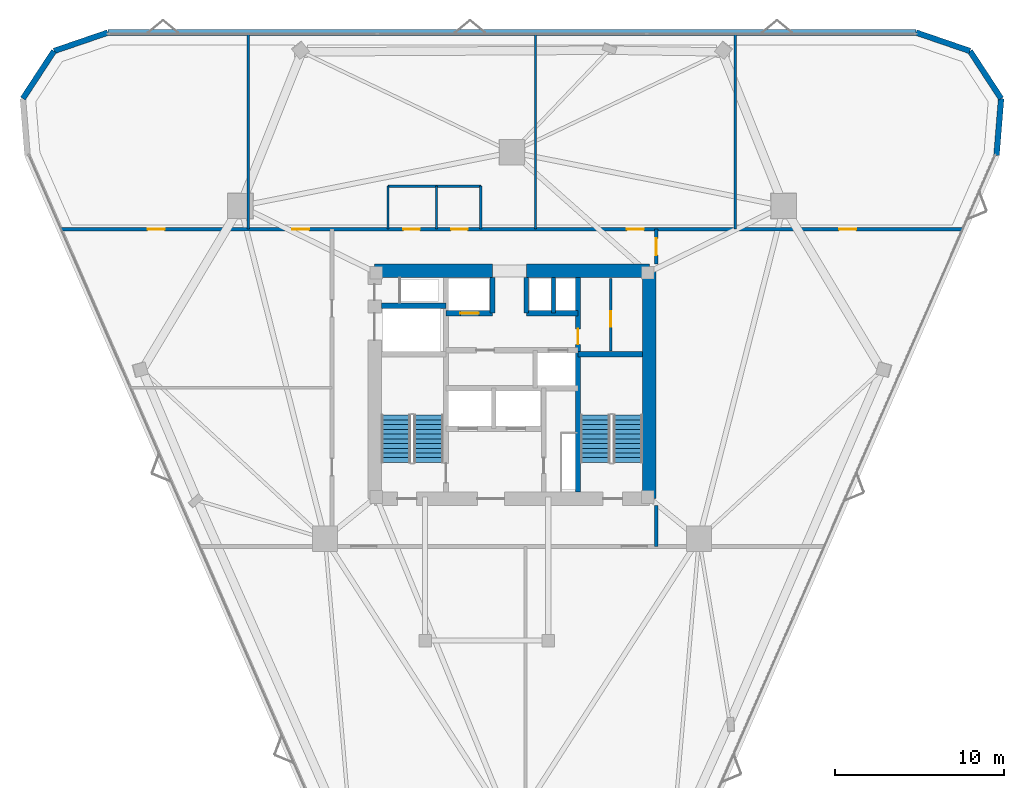
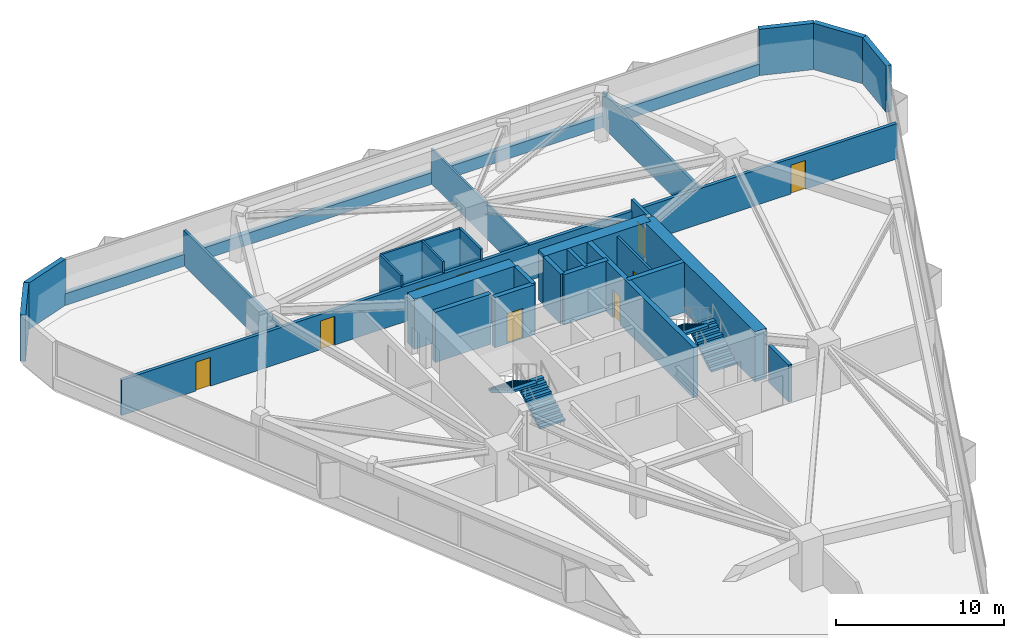
# One storey, part 13 of 16: 28 walls, 10 doors, 4 stair flights, 10 openings, 2 elements without a shape of their own.
"""IFC4 building model written with IfcOpenShell, lengths in metres."""

from ifc_helpers import new_model, si_unit, direction, frame, frame_2d, origin, place, context, subcontext, project, spatial, polyline, rectangle, outline, extrude, material, layer, layer_set, type_object, element, fill, aggregate, save


model = new_model("IFC4")

# Units and contexts
model_context = context("Model", 3, precision=1e-05, world=origin(), true_north=direction((0.0, 1.0)))
body_context = subcontext(model_context, "Body", "Model", "MODEL_VIEW")
ifc_project = project(units=[si_unit("LENGTHUNIT", "METRE"), si_unit("AREAUNIT", "SQUARE_METRE"), si_unit("VOLUMEUNIT", "CUBIC_METRE"), si_unit("PLANEANGLEUNIT", "RADIAN"), si_unit("MASSUNIT", "GRAM", prefix="KILO")], contexts=[model_context])

# Site, building, storey
site_placement = place(None, origin())
site = spatial("IfcSite", under=ifc_project, at=site_placement, CompositionType="ELEMENT")
building_placement = place(site_placement, origin())
building = spatial("IfcBuilding", under=site, at=building_placement, Name="Talyreon Biosciences Tower", CompositionType="ELEMENT")
storey_placement = place(building_placement, frame((0.0, 0.0, 134.5)))
storey = spatial("IfcBuildingStorey", under=building, at=storey_placement, Name="L35", CompositionType="ELEMENT", Elevation=134.5)

# Walls
ifc_material_1 = material(Name="Concrete C50/60", Category="concrete")
ifc_layer_1 = layer(ifc_material_1, 0.219970703125)
ifc_layer_set_1 = layer_set([ifc_layer_1], Name="Concrete C50/60")
wall_type_1 = type_object("IfcWallType", Name="CoreShearWall_220", PredefinedType="SHEAR", material=ifc_layer_set_1)
wall_1_placement = place(storey_placement, frame((68.4599609375, 72.25, 0.0), z_axis=(0.0, 0.0, 1.0), x_axis=(0.0, 1.0, 0.0)))
element("IfcWall", 1, at=wall_1_placement, inside=storey, type_object=wall_type_1, Name="L35 Core Shaft Wall SWPHD", PredefinedType="SHEAR", context=body_context, shape_type="SweptSolid", body=[
    extrude(rectangle(XDim=2.10009765625, YDim=0.219970703125, at=frame_2d((1.050048828125, 0.0))), origin(), (0.0, 0.0, 1.0), 3.64990234375),
])
ifc_layer_2 = layer(ifc_material_1, 0.280029296875)
ifc_layer_set_2 = layer_set([ifc_layer_2], Name="Concrete C50/60")
wall_type_2 = type_object("IfcWallType", Name="CoreShearWall_280", PredefinedType="SHEAR", material=ifc_layer_set_2)
for number, where, z_axis, x_axis, name in (
    (2, (64.85009765625, 72.25, 0.0), (0.0, 0.0, 1.0), (0.0, 1.0, 0.0), "L35 Core Shaft Wall SWTHW"),
    (3, (66.85009765625, 72.25, 0.0), (0.0, 0.0, 1.0), (0.0, 1.0, 0.0), "L35 Core Shaft Wall SWTHE"),
):
    element("IfcWall", number, at=place(storey_placement, frame(where, z_axis=z_axis, x_axis=x_axis)), inside=storey, type_object=wall_type_2, Name=name, PredefinedType="SHEAR", context=body_context, shape_type="SweptSolid", body=[
        extrude(rectangle(XDim=2.10009765625, YDim=0.280029296875, at=frame_2d((1.050048828125, 0.0))), origin(), (0.0, 0.0, 1.0), 3.64990234375),
    ])

# Wall, opening, door
ifc_layer_3 = layer(ifc_material_1, 0.320068359375)
ifc_layer_set_3 = layer_set([ifc_layer_3], Name="Concrete C50/60")
wall_type_3 = type_object("IfcWallType", Name="CoreShearWall_320", PredefinedType="SHEAR", material=ifc_layer_set_3)
wall_2_placement = place(storey_placement, frame((69.909912109375, 61.64990234375, 0.0), z_axis=(0.0, 0.0, 1.0), x_axis=(0.0, 1.0, 0.0)))
wall_2 = element("IfcWall", 4, at=wall_2_placement, inside=storey, type_object=wall_type_3, Name="L35 Core Shaft Wall SW2W", PredefinedType="SHEAR", context=body_context, shape_type="SweptSolid", body=[
    extrude(rectangle(XDim=12.7001953125, YDim=0.320068359375, at=frame_2d((6.35009765625, 0.0))), origin(), (0.0, 0.0, 1.0), 3.64990234375),
])
opening_1_placement = place(wall_2_placement, frame((8.75, 0.0, 0.0)))
opening_1 = element("IfcOpeningElement", 5, at=opening_1_placement, cuts=wall_2, Name="Opening DR-L35-CSRV", PredefinedType="OPENING", context=body_context, shape_type="SweptSolid", body=[
    extrude(rectangle(XDim=0.919921875, YDim=2.050048828125, at=frame_2d((0.4599609375, 1.02490234375))), frame((0.0, 0.169921875, 0.0), z_axis=(0.0, -1.0, 0.0), x_axis=(1.0, 0.0, 0.0)), (0.0, 0.0, 1.0), 0.340087890625),
])
ifc_material_2 = material(Name="Painted steel fire-rated riser door", Category="steel")
door_type_1 = type_object("IfcDoorType", Name="RiserPlantAccessDoor_920x2050", OperationType="NOTDEFINED", PredefinedType="DOOR", material=ifc_material_2)
door_1_placement = place(opening_1_placement, origin())
door_1 = element("IfcDoor", 6, at=door_1_placement, inside=storey, type_object=door_type_1, Name="L35 Core Door DR-L35-CSRV", OperationType="SINGLE_SWING_RIGHT", OverallHeight=2.050048828125, OverallWidth=0.919921875, PredefinedType="DOOR", context=body_context, shape_type="SweptSolid", body=[
    extrude(rectangle(XDim=0.919921875, YDim=2.050048828125, at=frame_2d((0.4599609375, 1.02490234375))), frame((0.0, 0.02490234375, 0.0), z_axis=(0.0, -1.0, 0.0), x_axis=(1.0, 0.0, 0.0)), (0.0, 0.0, 1.0), 0.050048828125),
])
fill(opening_1, door_1)

# Walls
for number, where, z_axis, x_axis, name in (
    (7, (69.909912109375, 69.81005859375, 0.0), (0.0, 0.0, 1.0), (1.0, 0.0, 0.0), "L35 Core Shaft Wall SW2N"),
    (8, (58.25, 72.699951171875, 0.0), (0.0, 0.0, 1.0), (1.0, 0.0, 0.0), "L35 Core Shaft Wall SWGLN"),
):
    element("IfcWall", number, at=place(storey_placement, frame(where, z_axis=z_axis, x_axis=x_axis)), inside=storey, type_object=wall_type_3, Name=name, PredefinedType="SHEAR", context=body_context, shape_type="SweptSolid", body=[
        extrude(rectangle(XDim=3.840087890625, YDim=0.320068359375, at=frame_2d((1.919921875, 0.0))), origin(), (0.0, 0.0, 1.0), 3.64990234375),
    ])

# Wall, opening, door
wall_3_placement = place(storey_placement, frame((62.090087890625, 72.25, 0.0), z_axis=(0.0, 0.0, 1.0), x_axis=(1.0, 0.0, 0.0)))
wall_3 = element("IfcWall", 9, at=wall_3_placement, inside=storey, type_object=wall_type_3, Name="L35 Core Shaft Wall SWNPW", PredefinedType="SHEAR", context=body_context, shape_type="SweptSolid", body=[
    extrude(rectangle(XDim=2.760009765625, YDim=0.320068359375, at=frame_2d((1.3798828125, 0.0))), origin(), (0.0, 0.0, 1.0), 3.64990234375),
])
opening_2_placement = place(wall_3_placement, frame((0.85009765625, 0.0, 0.0)))
opening_2 = element("IfcOpeningElement", 10, at=opening_2_placement, cuts=wall_3, Name="Opening LD-L35-PM2", PredefinedType="OPENING", context=body_context, shape_type="SweptSolid", body=[
    extrude(rectangle(XDim=1.10009765625, YDim=2.199951171875, at=frame_2d((0.550048828125, 1.10009765625))), frame((0.0, 0.169921875, 0.0), z_axis=(0.0, -1.0, 0.0), x_axis=(1.0, 0.0, 0.0)), (0.0, 0.0, 1.0), 0.340087890625),
])
ifc_material_3 = material(Name="Brushed stainless-steel lift landing door", Category="steel")
door_type_2 = type_object("IfcDoorType", Name="LiftSlidingLandingDoor_1100x2200", OperationType="SLIDING_TO_LEFT", PredefinedType="DOOR", material=ifc_material_3)
door_2_placement = place(opening_2_placement, origin())
door_2 = element("IfcDoor", 11, at=door_2_placement, inside=storey, type_object=door_type_2, Name="L35 Core Door LD-L35-PM2", OperationType="SLIDING_TO_LEFT", OverallHeight=2.199951171875, OverallWidth=1.10009765625, PredefinedType="DOOR", context=body_context, shape_type="SweptSolid", body=[
    extrude(rectangle(XDim=1.10009765625, YDim=2.199951171875, at=frame_2d((0.550048828125, 1.10009765625))), frame((0.0, 0.02490234375, 0.0), z_axis=(0.0, -1.0, 0.0), x_axis=(1.0, 0.0, 0.0)), (0.0, 0.0, 1.0), 0.050048828125),
])
fill(opening_2, door_2)

# Walls
wall_4_placement = place(storey_placement, frame((66.85009765625, 72.25, 0.0), z_axis=(0.0, 0.0, 1.0), x_axis=(1.0, 0.0, 0.0)))
element("IfcWall", 12, at=wall_4_placement, inside=storey, type_object=wall_type_3, Name="L35 Core Shaft Wall SWNPE", PredefinedType="SHEAR", context=body_context, shape_type="SweptSolid", body=[
    extrude(rectangle(XDim=3.059814453125, YDim=0.320068359375, at=frame_2d((1.52978515625, 0.0))), origin(), (0.0, 0.0, 1.0), 3.64990234375),
])
ifc_material_4 = material(Name="Concrete C60/75", Category="concrete")
ifc_layer_4 = layer(ifc_material_4, 0.800048828125)
ifc_layer_set_4 = layer_set([ifc_layer_4], Name="Concrete C60/75")
wall_type_4 = type_object("IfcWallType", Name="CoreShearWall_800", PredefinedType="SHEAR", material=ifc_layer_set_4)
wall_5_placement = place(storey_placement, frame((74.14990234375, 61.25, 0.0), z_axis=(0.0, 0.0, 1.0), x_axis=(0.0, 1.0, 0.0)))
element("IfcWall", 13, at=wall_5_placement, inside=storey, type_object=wall_type_4, Name="L35 Core Shear Wall E", PredefinedType="SHEAR", context=body_context, shape_type="SweptSolid", body=[
    extrude(rectangle(XDim=13.5, YDim=0.800048828125, at=frame_2d((6.75, 0.0))), origin(), (0.0, 0.0, 1.0), 3.64990234375),
])
wall_6_placement = place(storey_placement, frame((74.14990234375, 74.75, 0.0), z_axis=(0.0, 0.0, 1.0), x_axis=(-1.0, 0.0, 0.0)))
element("IfcWall", 14, at=wall_6_placement, inside=storey, type_object=wall_type_4, Name="L35 Core Shear Wall NE", PredefinedType="SHEAR", context=body_context, shape_type="SweptSolid", body=[
    extrude(rectangle(XDim=7.2998046875, YDim=0.800048828125, at=frame_2d((3.64990234375, 0.0))), origin(), (0.0, 0.0, 1.0), 3.64990234375),
])
wall_7_placement = place(storey_placement, frame((64.85009765625, 74.75, 0.0), z_axis=(0.0, 0.0, 1.0), x_axis=(-1.0, 0.0, 0.0)))
element("IfcWall", 15, at=wall_7_placement, inside=storey, type_object=wall_type_4, Name="L35 Core Shear Wall NW", PredefinedType="SHEAR", context=body_context, shape_type="SweptSolid", body=[
    extrude(rectangle(XDim=7.0, YDim=0.800048828125, at=frame_2d((3.5, 0.0))), origin(), (0.0, 0.0, 1.0), 3.64990234375),
])

# Wall, openings, doors
ifc_material_5 = material(Name="Gypsum fireboard acoustic stud", Category="gypsum")
ifc_layer_5 = layer(ifc_material_5, 0.219970703125)
ifc_layer_set_5 = layer_set([ifc_layer_5], Name="Gypsum fireboard acoustic stud")
wall_type_5 = type_object("IfcWallType", Name="CorridorRatedPartition_220", PredefinedType="PARTITIONING", material=ifc_layer_set_5)
wall_8_placement = place(storey_placement, frame((39.278564453125, 77.22998046875, 0.0), z_axis=(0.0, 0.0, 1.0), x_axis=(1.0, 0.0, 0.0)))
wall_8 = element("IfcWall", 16, at=wall_8_placement, inside=storey, type_object=wall_type_5, Name="L35 Interior Wall IW-L35-COR-N", PredefinedType="PARTITIONING", context=body_context, shape_type="SweptSolid", body=[
    extrude(rectangle(XDim=53.44287109375, YDim=0.219970703125, at=frame_2d((26.721435546875, 0.0))), origin(), (0.0, 0.0, 1.0), 2.574951171875),
])
opening_3_placement = place(wall_8_placement, frame((20.281982421875, 0.0, 0.0)))
opening_3 = element("IfcOpeningElement", 17, at=opening_3_placement, cuts=wall_8, Name="Opening DR-L35-WC", PredefinedType="OPENING", context=body_context, shape_type="SweptSolid", body=[
    extrude(rectangle(XDim=0.97998046875, YDim=2.10009765625, at=frame_2d((0.489990234375, 1.050048828125))), frame((0.0, 0.119873046875, 0.0), z_axis=(0.0, -1.0, 0.0), x_axis=(1.0, 0.0, 0.0)), (0.0, 0.0, 1.0), 0.239990234375),
])
opening_4_placement = place(wall_8_placement, frame((23.10693359375, 0.0, 0.0)))
opening_4 = element("IfcOpeningElement", 18, at=opening_4_placement, cuts=wall_8, Name="Opening DR-L35-AWC", PredefinedType="OPENING", context=body_context, shape_type="SweptSolid", body=[
    extrude(rectangle(XDim=0.97998046875, YDim=2.10009765625, at=frame_2d((0.489990234375, 1.050048828125))), frame((0.0, 0.119873046875, 0.0), z_axis=(0.0, -1.0, 0.0), x_axis=(1.0, 0.0, 0.0)), (0.0, 0.0, 1.0), 0.239990234375),
])
opening_5_placement = place(wall_8_placement, frame((5.1220703125, 0.0, 0.0)))
opening_5 = element("IfcOpeningElement", 19, at=opening_5_placement, cuts=wall_8, Name="Opening DR-L35-N1A", PredefinedType="OPENING", context=body_context, shape_type="SweptSolid", body=[
    extrude(rectangle(XDim=1.0, YDim=2.10009765625, at=frame_2d((0.5, 1.050048828125))), frame((0.0, 0.119873046875, 0.0), z_axis=(0.0, -1.0, 0.0), x_axis=(1.0, 0.0, 0.0)), (0.0, 0.0, 1.0), 0.239990234375),
])
opening_6_placement = place(wall_8_placement, frame((13.694091796875, 0.0, 0.0)))
opening_6 = element("IfcOpeningElement", 20, at=opening_6_placement, cuts=wall_8, Name="Opening DR-L35-N2A", PredefinedType="OPENING", context=body_context, shape_type="SweptSolid", body=[
    extrude(rectangle(XDim=1.0, YDim=2.10009765625, at=frame_2d((0.5, 1.050048828125))), frame((0.0, 0.119873046875, 0.0), z_axis=(0.0, -1.0, 0.0), x_axis=(1.0, 0.0, 0.0)), (0.0, 0.0, 1.0), 0.239990234375),
])
opening_7_placement = place(wall_8_placement, frame((33.534912109375, 0.0, 0.0)))
opening_7 = element("IfcOpeningElement", 21, at=opening_7_placement, cuts=wall_8, Name="Opening DR-L35-N3A", PredefinedType="OPENING", context=body_context, shape_type="SweptSolid", body=[
    extrude(rectangle(XDim=1.0, YDim=2.10009765625, at=frame_2d((0.5, 1.050048828125))), frame((0.0, 0.119873046875, 0.0), z_axis=(0.0, -1.0, 0.0), x_axis=(1.0, 0.0, 0.0)), (0.0, 0.0, 1.0), 0.239990234375),
])
opening_8_placement = place(wall_8_placement, frame((46.12109375, 0.0, 0.0)))
opening_8 = element("IfcOpeningElement", 22, at=opening_8_placement, cuts=wall_8, Name="Opening DR-L35-N4A", PredefinedType="OPENING", context=body_context, shape_type="SweptSolid", body=[
    extrude(rectangle(XDim=1.0, YDim=2.10009765625, at=frame_2d((0.5, 1.050048828125))), frame((0.0, 0.119873046875, 0.0), z_axis=(0.0, -1.0, 0.0), x_axis=(1.0, 0.0, 0.0)), (0.0, 0.0, 1.0), 0.239990234375),
])
ifc_material_6 = material(Name="Laminate moisture-resistant door", Category="wood")
door_type_3 = type_object("IfcDoorType", Name="AccessibleToiletDoor_980x2100", OperationType="NOTDEFINED", PredefinedType="DOOR", material=ifc_material_6)
door_3_placement = place(opening_3_placement, origin())
door_3 = element("IfcDoor", 23, at=door_3_placement, inside=storey, type_object=door_type_3, Name="L35 Interior Door DR-L35-WC", OperationType="SINGLE_SWING_LEFT", OverallHeight=2.10009765625, OverallWidth=0.97998046875, PredefinedType="DOOR", context=body_context, shape_type="SweptSolid", body=[
    extrude(rectangle(XDim=0.97998046875, YDim=2.10009765625, at=frame_2d((0.489990234375, 1.050048828125))), frame((0.0, 0.02490234375, 0.0), z_axis=(0.0, -1.0, 0.0), x_axis=(1.0, 0.0, 0.0)), (0.0, 0.0, 1.0), 0.050048828125),
])
fill(opening_3, door_3)
door_4_placement = place(opening_4_placement, origin())
door_4 = element("IfcDoor", 24, at=door_4_placement, inside=storey, type_object=door_type_3, Name="L35 Interior Door DR-L35-AWC", OperationType="SINGLE_SWING_RIGHT", OverallHeight=2.10009765625, OverallWidth=0.97998046875, PredefinedType="DOOR", context=body_context, shape_type="SweptSolid", body=[
    extrude(rectangle(XDim=0.97998046875, YDim=2.10009765625, at=frame_2d((0.489990234375, 1.050048828125))), frame((0.0, 0.02490234375, 0.0), z_axis=(0.0, -1.0, 0.0), x_axis=(1.0, 0.0, 0.0)), (0.0, 0.0, 1.0), 0.050048828125),
])
fill(opening_4, door_4)
ifc_material_7 = material(Name="Acoustic oak veneer office door", Category="wood")
door_type_4 = type_object("IfcDoorType", Name="WriteupOfficeDoor_1000x2100", OperationType="NOTDEFINED", PredefinedType="DOOR", material=ifc_material_7)
door_5_placement = place(opening_5_placement, origin())
door_5 = element("IfcDoor", 25, at=door_5_placement, inside=storey, type_object=door_type_4, Name="L35 Interior Door DR-L35-N1A", OperationType="SINGLE_SWING_RIGHT", OverallHeight=2.10009765625, OverallWidth=1.0, PredefinedType="DOOR", context=body_context, shape_type="SweptSolid", body=[
    extrude(rectangle(XDim=1.0, YDim=2.10009765625, at=frame_2d((0.5, 1.050048828125))), frame((0.0, 0.02490234375, 0.0), z_axis=(0.0, -1.0, 0.0), x_axis=(1.0, 0.0, 0.0)), (0.0, 0.0, 1.0), 0.050048828125),
])
fill(opening_5, door_5)
door_6_placement = place(opening_6_placement, origin())
door_6 = element("IfcDoor", 26, at=door_6_placement, inside=storey, type_object=door_type_4, Name="L35 Interior Door DR-L35-N2A", OperationType="SINGLE_SWING_RIGHT", OverallHeight=2.10009765625, OverallWidth=1.0, PredefinedType="DOOR", context=body_context, shape_type="SweptSolid", body=[
    extrude(rectangle(XDim=1.0, YDim=2.10009765625, at=frame_2d((0.5, 1.050048828125))), frame((0.0, 0.02490234375, 0.0), z_axis=(0.0, -1.0, 0.0), x_axis=(1.0, 0.0, 0.0)), (0.0, 0.0, 1.0), 0.050048828125),
])
fill(opening_6, door_6)
door_7_placement = place(opening_7_placement, origin())
door_7 = element("IfcDoor", 27, at=door_7_placement, inside=storey, type_object=door_type_4, Name="L35 Interior Door DR-L35-N3A", OperationType="SINGLE_SWING_LEFT", OverallHeight=2.10009765625, OverallWidth=1.0, PredefinedType="DOOR", context=body_context, shape_type="SweptSolid", body=[
    extrude(rectangle(XDim=1.0, YDim=2.10009765625, at=frame_2d((0.5, 1.050048828125))), frame((0.0, 0.02490234375, 0.0), z_axis=(0.0, -1.0, 0.0), x_axis=(1.0, 0.0, 0.0)), (0.0, 0.0, 1.0), 0.050048828125),
])
fill(opening_7, door_7)
door_8_placement = place(opening_8_placement, origin())
door_8 = element("IfcDoor", 28, at=door_8_placement, inside=storey, type_object=door_type_4, Name="L35 Interior Door DR-L35-N4A", OperationType="SINGLE_SWING_LEFT", OverallHeight=2.10009765625, OverallWidth=1.0, PredefinedType="DOOR", context=body_context, shape_type="SweptSolid", body=[
    extrude(rectangle(XDim=1.0, YDim=2.10009765625, at=frame_2d((0.5, 1.050048828125))), frame((0.0, 0.02490234375, 0.0), z_axis=(0.0, -1.0, 0.0), x_axis=(1.0, 0.0, 0.0)), (0.0, 0.0, 1.0), 0.050048828125),
])
fill(opening_8, door_8)

# Wall, opening, door
wall_9_placement = place(storey_placement, frame((74.550048828125, 75.14990234375, 0.0), z_axis=(0.0, 0.0, 1.0), x_axis=(0.0, 1.0, 0.0)))
wall_9 = element("IfcWall", 29, at=wall_9_placement, inside=storey, type_object=wall_type_5, Name="L35 Interior Wall IW-L35-ECAP-N", PredefinedType="PARTITIONING", context=body_context, shape_type="SweptSolid", body=[
    extrude(rectangle(XDim=2.080078125, YDim=0.219970703125, at=frame_2d((1.0400390625, 0.0))), origin(), (0.0, 0.0, 1.0), 3.375),
])
opening_9_placement = place(wall_9_placement, frame((0.5400390625, 0.0, 0.0)))
opening_9 = element("IfcOpeningElement", 30, at=opening_9_placement, cuts=wall_9, Name="Opening DR-L35-E1A", PredefinedType="OPENING", context=body_context, shape_type="SweptSolid", body=[
    extrude(rectangle(XDim=1.0, YDim=2.10009765625, at=frame_2d((0.5, 1.050048828125))), frame((0.0, 0.119873046875, 0.0), z_axis=(0.0, -1.0, 0.0), x_axis=(1.0, 0.0, 0.0)), (0.0, 0.0, 1.0), 0.239990234375),
])
door_9_placement = place(opening_9_placement, origin())
door_9 = element("IfcDoor", 31, at=door_9_placement, inside=storey, type_object=door_type_4, Name="L35 Interior Door DR-L35-E1A", OperationType="SINGLE_SWING_LEFT", OverallHeight=2.10009765625, OverallWidth=1.0, PredefinedType="DOOR", context=body_context, shape_type="SweptSolid", body=[
    extrude(rectangle(XDim=1.0, YDim=2.10009765625, at=frame_2d((0.5, 1.050048828125))), frame((0.0, 0.02490234375, 0.0), z_axis=(0.0, -1.0, 0.0), x_axis=(1.0, 0.0, 0.0)), (0.0, 0.0, 1.0), 0.050048828125),
])
fill(opening_9, door_9)

# Wall
wall_10_placement = place(storey_placement, frame((74.550048828125, 58.419921875, 0.0), z_axis=(0.0, 0.0, 1.0), x_axis=(0.0, 1.0, 0.0)))
element("IfcWall", 32, at=wall_10_placement, inside=storey, type_object=wall_type_5, Name="L35 Interior Wall IW-L35-ECAP-S", PredefinedType="PARTITIONING", context=body_context, shape_type="SweptSolid", body=[
    extrude(rectangle(XDim=2.43017578125, YDim=0.219970703125, at=frame_2d((1.215087890625, 0.0))), origin(), (0.0, 0.0, 1.0), 2.705078125),
])

# Wall, opening, door
ifc_material_8 = material(Name="Gypsum acoustic stud partition", Category="gypsum")
ifc_layer_6 = layer(ifc_material_8, 0.159912109375)
ifc_layer_set_6 = layer_set([ifc_layer_6], Name="Gypsum acoustic stud partition")
wall_type_6 = type_object("IfcWallType", Name="LabSeparationPartition_160", PredefinedType="PARTITIONING", material=ifc_layer_set_6)
wall_11_placement = place(storey_placement, frame((71.85009765625, 70.0, 0.0), z_axis=(0.0, 0.0, 1.0), x_axis=(0.0, 1.0, 0.0)))
wall_11 = element("IfcWall", 33, at=wall_11_placement, inside=storey, type_object=wall_type_6, Name="L35 Interior Wall IW-L35-CSRV-V", PredefinedType="PARTITIONING", context=body_context, shape_type="SweptSolid", body=[
    extrude(rectangle(XDim=4.300048828125, YDim=0.159912109375, at=frame_2d((2.14990234375, 0.0))), origin(), (0.0, 0.0, 1.0), 3.375),
])
opening_10_placement = place(wall_11_placement, frame((1.449951171875, 0.0, 0.0)))
opening_10 = element("IfcOpeningElement", 34, at=opening_10_placement, cuts=wall_11, Name="Opening DR-L35-CSRV-I", PredefinedType="OPENING", context=body_context, shape_type="SweptSolid", body=[
    extrude(rectangle(XDim=0.919921875, YDim=2.050048828125, at=frame_2d((0.4599609375, 1.02490234375))), frame((0.0, 0.08984375, 0.0), z_axis=(0.0, -1.0, 0.0), x_axis=(1.0, 0.0, 0.0)), (0.0, 0.0, 1.0), 0.179931640625),
])
door_10_placement = place(opening_10_placement, origin())
door_10 = element("IfcDoor", 35, at=door_10_placement, inside=storey, type_object=door_type_1, Name="L35 Interior Door DR-L35-CSRV-I", OperationType="SINGLE_SWING_RIGHT", OverallHeight=2.050048828125, OverallWidth=0.919921875, PredefinedType="DOOR", context=body_context, shape_type="SweptSolid", body=[
    extrude(rectangle(XDim=0.919921875, YDim=2.050048828125, at=frame_2d((0.4599609375, 1.02490234375))), frame((0.0, 0.02490234375, 0.0), z_axis=(0.0, -1.0, 0.0), x_axis=(1.0, 0.0, 0.0)), (0.0, 0.0, 1.0), 0.050048828125),
])
fill(opening_10, door_10)

# Walls
for number, where, z_axis, x_axis, name in (
    (36, (50.373046875, 77.22998046875, 0.0), (0.0, 0.0, 1.0), (0.0, 1.0, 0.0), "L35 Interior Wall IW-L35-NDIV1"),
    (37, (79.22705078125, 77.22998046875, 0.0), (0.0, 0.0, 1.0), (0.0, 1.0, 0.0), "L35 Interior Wall IW-L35-NDIV3"),
):
    element("IfcWall", number, at=place(storey_placement, frame(where, z_axis=z_axis, x_axis=x_axis)), inside=storey, type_object=wall_type_6, Name=name, PredefinedType="PARTITIONING", context=body_context, shape_type="SweptSolid", body=[
        extrude(rectangle(XDim=11.5712890625, YDim=0.159912109375, at=frame_2d((5.78564453125, 0.0))), origin(), (0.0, 0.0, 1.0), 2.574951171875),
    ])
ifc_layer_7 = layer(ifc_material_8, 0.1298828125)
ifc_layer_set_7 = layer_set([ifc_layer_7], Name="Gypsum acoustic stud partition")
wall_type_7 = type_object("IfcWallType", Name="OfficeWriteupPartition_130", PredefinedType="PARTITIONING", material=ifc_layer_set_7)
wall_12_placement = place(storey_placement, frame((67.39990234375, 77.22998046875, 0.0), z_axis=(0.0, 0.0, 1.0), x_axis=(0.0, 1.0, 0.0)))
element("IfcWall", 38, at=wall_12_placement, inside=storey, type_object=wall_type_7, Name="L35 Interior Wall IW-L35-NDIV2", PredefinedType="PARTITIONING", context=body_context, shape_type="SweptSolid", body=[
    extrude(rectangle(XDim=11.5712890625, YDim=0.1298828125, at=frame_2d((5.78564453125, 0.0))), origin(), (0.0, 0.0, 1.0), 2.574951171875),
])
ifc_material_9 = material(Name="Precast concrete C45/55", Category="concrete")
ifc_layer_8 = layer(ifc_material_9, 0.340087890625)
ifc_layer_set_8 = layer_set([ifc_layer_8], Name="Precast concrete C45/55")
wall_type_8 = type_object("IfcWallType", Name="PrecastConcreteSpandrelWall_340", PredefinedType="STANDARD", material=ifc_layer_set_8)
for number, where, z_axis, x_axis, name in (
    (39, (37.003173828125, 84.969482421875, 0.0), (0.0, 0.0, 1.0), (0.547783529201, 0.836620108015, 0.0), "L35 Rounded-Corner Concrete Pier 02"),
    (40, (38.85107421875, 87.791748046875, 0.0), (0.0, 0.0, 1.0), (0.945912321016, 0.324422380469, 0.0), "L35 Rounded-Corner Concrete Pier 03"),
):
    element("IfcWall", number, at=place(storey_placement, frame(where, z_axis=z_axis, x_axis=x_axis)), inside=storey, type_object=wall_type_8, Name=name, PredefinedType="STANDARD", context=body_context, shape_type="SweptSolid", body=[
        extrude(rectangle(XDim=3.37353515625, YDim=0.340087890625, at=frame_2d((1.686767578125, 0.0))), origin(), (0.0, 0.0, 1.0), 3.375),
    ])
wall_13_placement = place(storey_placement, frame((42.042236328125, 88.88623046875, 0.0), z_axis=(0.0, 0.0, 1.0), x_axis=(1.0, 0.0, 0.0)))
element("IfcWall", 41, at=wall_13_placement, inside=storey, type_object=wall_type_8, Name="L35 Expressed Concrete Sill Wall 04", PredefinedType="STANDARD", context=body_context, shape_type="SweptSolid", body=[
    extrude(rectangle(XDim=47.91552734375, YDim=0.340087890625, at=frame_2d((23.957763671875, 0.0))), origin(), (0.0, 0.0, 1.0), 0.85009765625),
])
for number, where, z_axis, x_axis, name in (
    (42, (89.957763671875, 88.88623046875, 0.0), (0.0, 0.0, 1.0), (0.945912321016, -0.324422380469, 0.0), "L35 Rounded-Corner Concrete Pier 05"),
    (43, (93.14892578125, 87.791748046875, 0.0), (0.0, 0.0, 1.0), (0.547783529201, -0.836620108015, 0.0), "L35 Rounded-Corner Concrete Pier 06"),
):
    element("IfcWall", number, at=place(storey_placement, frame(where, z_axis=z_axis, x_axis=x_axis)), inside=storey, type_object=wall_type_8, Name=name, PredefinedType="STANDARD", context=body_context, shape_type="SweptSolid", body=[
        extrude(rectangle(XDim=3.37353515625, YDim=0.340087890625, at=frame_2d((1.686767578125, 0.0))), origin(), (0.0, 0.0, 1.0), 3.375),
    ])
wall_14_placement = place(storey_placement, frame((94.996826171875, 84.969482421875, 0.0), z_axis=(0.0, 0.0, 1.0), x_axis=(-0.080901359233, -0.996722112765, 0.0)))
element("IfcWall", 44, at=wall_14_placement, inside=storey, type_object=wall_type_8, Name="L35 Rounded-Corner Concrete Pier 07", PredefinedType="STANDARD", context=body_context, shape_type="SweptSolid", body=[
    extrude(rectangle(XDim=3.373779296875, YDim=0.340087890625, at=frame_2d((1.68701171875, 0.0))), origin(), (0.0, 0.0, 1.0), 3.375),
])
ifc_material_10 = material(Name="Moisture-resistant cement-board stud", Category="gypsum")
ifc_layer_9 = layer(ifc_material_10, 0.14501953125)
ifc_layer_set_9 = layer_set([ifc_layer_9], Name="Moisture-resistant cement-board stud")
wall_type_9 = type_object("IfcWallType", Name="WetRoomPartition_145", PredefinedType="PARTITIONING", material=ifc_layer_set_9)
for number, where, z_axis, x_axis, name in (
    (45, (58.64990234375, 77.22998046875, 0.0), (0.0, 0.0, 1.0), (0.0, 1.0, 0.0), "L35 Interior Wall IW-L35-WCL"),
    (46, (61.52490234375, 77.22998046875, 0.0), (0.0, 0.0, 1.0), (0.0, 1.0, 0.0), "L35 Interior Wall IW-L35-WCM"),
    (47, (64.14990234375, 77.22998046875, 0.0), (0.0, 0.0, 1.0), (0.0, 1.0, 0.0), "L35 Interior Wall IW-L35-WCR"),
):
    element("IfcWall", number, at=place(storey_placement, frame(where, z_axis=z_axis, x_axis=x_axis)), inside=storey, type_object=wall_type_9, Name=name, PredefinedType="PARTITIONING", context=body_context, shape_type="SweptSolid", body=[
        extrude(rectangle(XDim=2.550048828125, YDim=0.14501953125, at=frame_2d((1.27490234375, 0.0))), origin(), (0.0, 0.0, 1.0), 3.375),
    ])
wall_15_placement = place(storey_placement, frame((58.64990234375, 79.780029296875, 0.0), z_axis=(0.0, 0.0, 1.0), x_axis=(1.0, 0.0, 0.0)))
element("IfcWall", 48, at=wall_15_placement, inside=storey, type_object=wall_type_9, Name="L35 Interior Wall IW-L35-WCT", PredefinedType="PARTITIONING", context=body_context, shape_type="SweptSolid", body=[
    extrude(rectangle(XDim=5.5, YDim=0.14501953125, at=frame_2d((2.75, 0.0))), origin(), (0.0, 0.0, 1.0), 3.375),
])

# Stair, stair flights
ifc_material_11 = material(Name="Concrete C40/50", Category="concrete")
stair_type = type_object("IfcStairType", Name="DoglegEscapeStair_3650", PredefinedType="HALF_TURN_STAIR", material=ifc_material_11)
stair_1_placement = place(storey_placement, origin())
stair_1 = element("IfcStair", 49, at=stair_1_placement, inside=storey, type_object=stair_type, Name="L35 Core Escape Stair 1", PredefinedType="HALF_TURN_STAIR")
stair_flight_type = type_object("IfcStairFlightType", Name="PrecastStairFlight_3650", PredefinedType="STRAIGHT", material=ifc_material_11)
stair_flight_1_placement = place(storey_placement, frame((61.06005859375, 63.39990234375, 0.0), z_axis=(0.0, 0.0, 1.0), x_axis=(0.0, 1.0, 0.0)))
stair_flight_1 = element("IfcStairFlight", 50, at=stair_flight_1_placement, type_object=stair_flight_type, Name="ST-1 flight 1", NumberOfRisers=11, NumberOfTreads=10, PredefinedType="STRAIGHT", RiserHeight=0.165909091, TreadLength=0.28, context=body_context, shape_type="SweptSolid", body=[
    extrude(outline(polyline([(0.0, 0.0), (0.0, 0.166015625), (0.280029296875, 0.166015625), (0.280029296875, 0.331787109375), (0.56005859375, 0.331787109375), (0.56005859375, 0.497802734375), (0.840087890625, 0.497802734375), (0.840087890625, 0.66357421875), (1.1201171875, 0.66357421875), (1.1201171875, 0.82958984375), (1.39990234375, 0.82958984375), (1.39990234375, 0.995361328125), (1.679931640625, 0.995361328125), (1.679931640625, 1.161376953125), (1.9599609375, 1.161376953125), (1.9599609375, 1.327392578125), (2.239990234375, 1.327392578125), (2.239990234375, 1.4931640625), (2.52001953125, 1.4931640625), (2.52001953125, 1.6591796875), (2.800048828125, 1.6591796875), (2.800048828125, 1.824951171875), (2.800048828125, 1.48486328125), (0.2939453125, 0.0), (0.0, 0.0)])), frame((0.0, 0.8701171875, 0.0), z_axis=(0.0, -1.0, 0.0), x_axis=(1.0, 0.0, 0.0)), (0.0, 0.0, 1.0), 1.739990234375),
])
stair_flight_2_placement = place(storey_placement, frame((59.1201171875, 66.199951171875, 1.824951171875), z_axis=(0.0, 0.0, 1.0), x_axis=(0.0, -1.0, 0.0)))
stair_flight_2 = element("IfcStairFlight", 51, at=stair_flight_2_placement, type_object=stair_flight_type, Name="ST-1 flight 2", NumberOfRisers=11, NumberOfTreads=10, PredefinedType="STRAIGHT", RiserHeight=0.165909091, TreadLength=0.28, context=body_context, shape_type="SweptSolid", body=[
    extrude(outline(polyline([(0.0, 0.0), (0.0, 0.166015625), (0.280029296875, 0.166015625), (0.280029296875, 0.331787109375), (0.56005859375, 0.331787109375), (0.56005859375, 0.497802734375), (0.840087890625, 0.497802734375), (0.840087890625, 0.66357421875), (1.1201171875, 0.66357421875), (1.1201171875, 0.82958984375), (1.39990234375, 0.82958984375), (1.39990234375, 0.995361328125), (1.679931640625, 0.995361328125), (1.679931640625, 1.161376953125), (1.9599609375, 1.161376953125), (1.9599609375, 1.327392578125), (2.239990234375, 1.327392578125), (2.239990234375, 1.4931640625), (2.52001953125, 1.4931640625), (2.52001953125, 1.6591796875), (2.800048828125, 1.6591796875), (2.800048828125, 1.824951171875), (2.800048828125, 1.48486328125), (0.2939453125, 0.0), (0.0, 0.0)])), frame((0.0, 0.8701171875, 0.0), z_axis=(0.0, -1.0, 0.0), x_axis=(1.0, 0.0, 0.0)), (0.0, 0.0, 1.0), 1.739990234375),
])
aggregate(stair_1, [stair_flight_1, stair_flight_2])

stair_2_placement = place(storey_placement, origin())
stair_2 = element("IfcStair", 52, at=stair_2_placement, inside=storey, type_object=stair_type, Name="L35 Core Escape Stair 2", PredefinedType="HALF_TURN_STAIR")
stair_flight_3_placement = place(storey_placement, frame((72.8798828125, 63.39990234375, 0.0), z_axis=(0.0, 0.0, 1.0), x_axis=(0.0, 1.0, 0.0)))
stair_flight_3 = element("IfcStairFlight", 53, at=stair_flight_3_placement, type_object=stair_flight_type, Name="ST-2 flight 1", NumberOfRisers=11, NumberOfTreads=10, PredefinedType="STRAIGHT", RiserHeight=0.165909091, TreadLength=0.28, context=body_context, shape_type="SweptSolid", body=[
    extrude(outline(polyline([(0.0, 0.0), (0.0, 0.166015625), (0.280029296875, 0.166015625), (0.280029296875, 0.331787109375), (0.56005859375, 0.331787109375), (0.56005859375, 0.497802734375), (0.840087890625, 0.497802734375), (0.840087890625, 0.66357421875), (1.1201171875, 0.66357421875), (1.1201171875, 0.82958984375), (1.39990234375, 0.82958984375), (1.39990234375, 0.995361328125), (1.679931640625, 0.995361328125), (1.679931640625, 1.161376953125), (1.9599609375, 1.161376953125), (1.9599609375, 1.327392578125), (2.239990234375, 1.327392578125), (2.239990234375, 1.4931640625), (2.52001953125, 1.4931640625), (2.52001953125, 1.6591796875), (2.800048828125, 1.6591796875), (2.800048828125, 1.824951171875), (2.800048828125, 1.48486328125), (0.2939453125, 0.0), (0.0, 0.0)])), frame((0.0, 0.8701171875, 0.0), z_axis=(0.0, -1.0, 0.0), x_axis=(1.0, 0.0, 0.0)), (0.0, 0.0, 1.0), 1.739990234375),
])
stair_flight_4_placement = place(storey_placement, frame((70.93994140625, 66.199951171875, 1.824951171875), z_axis=(0.0, 0.0, 1.0), x_axis=(0.0, -1.0, 0.0)))
stair_flight_4 = element("IfcStairFlight", 54, at=stair_flight_4_placement, type_object=stair_flight_type, Name="ST-2 flight 2", NumberOfRisers=11, NumberOfTreads=10, PredefinedType="STRAIGHT", RiserHeight=0.165909091, TreadLength=0.28, context=body_context, shape_type="SweptSolid", body=[
    extrude(outline(polyline([(0.0, 0.0), (0.0, 0.166015625), (0.280029296875, 0.166015625), (0.280029296875, 0.331787109375), (0.56005859375, 0.331787109375), (0.56005859375, 0.497802734375), (0.840087890625, 0.497802734375), (0.840087890625, 0.66357421875), (1.1201171875, 0.66357421875), (1.1201171875, 0.82958984375), (1.39990234375, 0.82958984375), (1.39990234375, 0.995361328125), (1.679931640625, 0.995361328125), (1.679931640625, 1.161376953125), (1.9599609375, 1.161376953125), (1.9599609375, 1.327392578125), (2.239990234375, 1.327392578125), (2.239990234375, 1.4931640625), (2.52001953125, 1.4931640625), (2.52001953125, 1.6591796875), (2.800048828125, 1.6591796875), (2.800048828125, 1.824951171875), (2.800048828125, 1.48486328125), (0.2939453125, 0.0), (0.0, 0.0)])), frame((0.0, 0.8701171875, 0.0), z_axis=(0.0, -1.0, 0.0), x_axis=(1.0, 0.0, 0.0)), (0.0, 0.0, 1.0), 1.739990234375),
])
aggregate(stair_2, [stair_flight_3, stair_flight_4])

save(model, "model.ifc")
